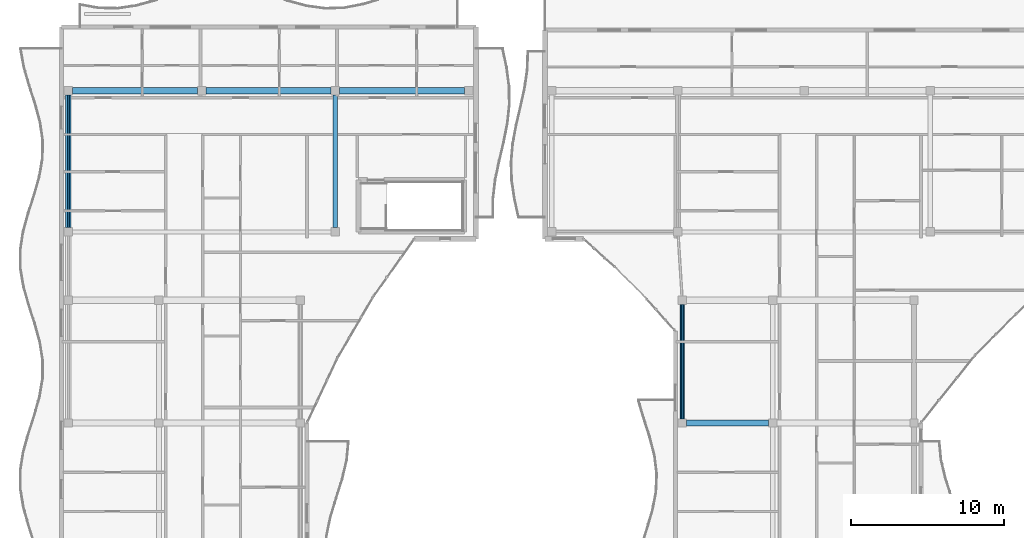
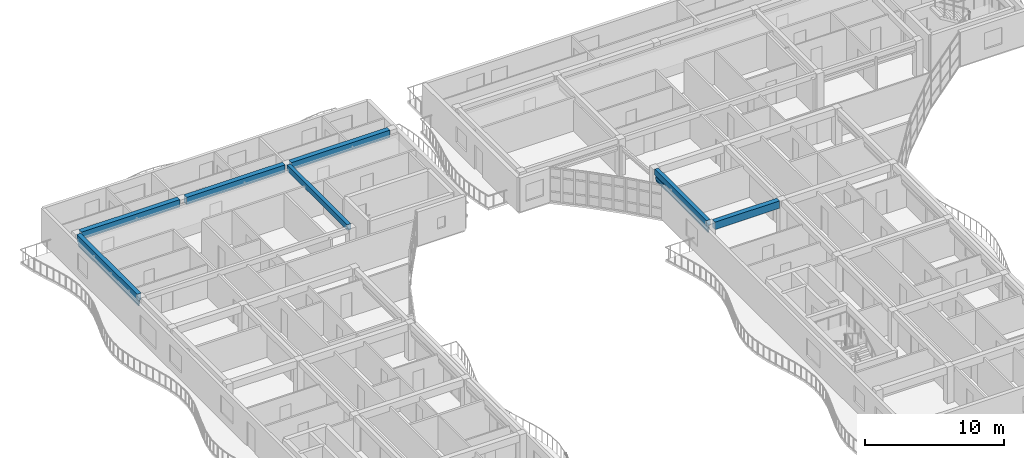
# One storey, part 3 of 68: 7 beams, 4 members.
"""IFC4 building model written with IfcOpenShell, lengths in metres."""

import ifcopenshell
import ifcopenshell.guid

model = None  # the IFC model being written
_history = None  # IfcOwnerHistory: only IFC2X3 demands one
_inside = {}  # id of a spatial element -> (the spatial element, [elements in it])
_under = {}  # id of a project, library or spatial element -> (it, [spatial elements below it])
_declared = {}  # id of a project -> (the project, [libraries it declares])
_typed = {}  # id of a type object -> (the type object, [elements of that type])
_made_of = {}  # id of a material, layer set ... -> (it, [elements and type objects made of it])


def new_model(schema):
    """Start an empty IFC model of exactly this schema.

    Asked for "IFC4X3", IfcOpenShell would pick the latest addendum, in which some entities
    have other attributes; the version numbers below select the first issue.
    IFC2X3 requires an IfcOwnerHistory on every rooted entity: one is made here for all.
    """
    global model, _history
    if schema == "IFC4X3":
        model = ifcopenshell.file(schema_version=(4, 3, 0, 0))
    else:
        model = ifcopenshell.file(schema=schema)
    _inside.clear()
    _under.clear()
    _declared.clear()
    _typed.clear()
    _made_of.clear()
    _history = None
    if model.schema == "IFC2X3":
        org = make("IfcOrganization", Name="unknown")
        user = make(
            "IfcPersonAndOrganization",
            ThePerson=make("IfcPerson", FamilyName="unknown"),
            TheOrganization=org,
        )
        app = make(
            "IfcApplication",
            ApplicationDeveloper=org,
            Version="unknown",
            ApplicationFullName="unknown",
            ApplicationIdentifier="unknown",
        )
        _history = make(
            "IfcOwnerHistory",
            OwningUser=user,
            OwningApplication=app,
            ChangeAction="ADDED",
            CreationDate=0,
        )
    return model


def make(cls, **values):
    """One entity of the class cls with the attributes given. An attribute that is None is left unset."""
    return model.create_entity(
        cls, **{name: value for name, value in values.items() if value is not None}
    )


def rooted(cls, **values):
    """An entity with a GlobalId (a new one), such as an element, a storey or a relation."""
    return make(cls, GlobalId=ifcopenshell.guid.new(), OwnerHistory=_history, **values)


def si_unit(unit_type, name, prefix=None):
    """IfcSIUnit, for example si_unit("LENGTHUNIT", "METRE", prefix="MILLI")."""
    return make("IfcSIUnit", UnitType=unit_type, Prefix=prefix, Name=name)


def assignment(units):
    """IfcUnitAssignment: the units of a project."""
    return None if units is None else make("IfcUnitAssignment", Units=units)


def point(xyz):
    """IfcCartesianPoint."""
    return None if xyz is None else make("IfcCartesianPoint", Coordinates=xyz)


def direction(xyz):
    """IfcDirection."""
    return None if xyz is None else make("IfcDirection", DirectionRatios=xyz)


def frame(location, z_axis=None, x_axis=None):
    """IfcAxis2Placement3D, a coordinate frame: its origin and axes. An axis left out is left unset."""
    return make(
        "IfcAxis2Placement3D",
        Location=point(location),
        Axis=direction(z_axis),
        RefDirection=direction(x_axis),
    )


def frame_2d(location, x_axis=None):
    """IfcAxis2Placement2D, a coordinate frame in the plane: its origin and x axis."""
    return make(
        "IfcAxis2Placement2D", Location=point(location), RefDirection=direction(x_axis)
    )


def origin():
    """The frame at (0, 0, 0) with its axes left unset."""
    return frame((0.0, 0.0, 0.0))


def origin_2d():
    """The frame at (0, 0) in the plane with its x axis left unset."""
    return frame_2d((0.0, 0.0))


def place(relative_to, where):
    """IfcLocalPlacement: puts the frame where relative to a parent placement (None: the world)."""
    return make(
        "IfcLocalPlacement", PlacementRelTo=relative_to, RelativePlacement=where
    )


def context(
    kind, dimensions, precision=None, world=None, true_north=None, identifier=None
):
    """IfcGeometricRepresentationContext, for example the 3D "Model" context."""
    return make(
        "IfcGeometricRepresentationContext",
        ContextIdentifier=identifier,
        ContextType=kind,
        CoordinateSpaceDimension=dimensions,
        Precision=precision,
        WorldCoordinateSystem=world,
        TrueNorth=true_north,
    )


def subcontext(parent, identifier, kind, view, scale=None):
    """IfcGeometricRepresentationSubContext, for example "Body" below "Model"."""
    return make(
        "IfcGeometricRepresentationSubContext",
        ContextIdentifier=identifier,
        ContextType=kind,
        ParentContext=parent,
        TargetScale=scale,
        TargetView=view,
    )


def project(units=None, contexts=None):
    """IfcProject with its units and contexts."""
    return rooted(
        "IfcProject",
        Name="project",
        RepresentationContexts=contexts,
        UnitsInContext=assignment(units),
    )


def spatial(cls, under=None, at=None, **own):
    """A site, building, storey or space (cls), placed at a placement, below another one or the project."""
    s = rooted(cls, ObjectPlacement=at, **own)
    if under is not None:
        _under.setdefault(under.id(), (under, []))[1].append(s)
    return s


def profile(cls, at=None, kind="AREA", **sizes):
    """A parametric profile (cls). Its sizes go by their IFC names, for example OverallWidth=200.0."""
    return make(cls, ProfileType=kind, Position=at, **sizes)


def rectangle(**sizes):
    """IfcRectangleProfileDef."""
    return profile("IfcRectangleProfileDef", **sizes)


def hollow_rectangle(**sizes):
    """IfcRectangleHollowProfileDef."""
    return profile("IfcRectangleHollowProfileDef", **sizes)


def extrude(swept, where, along, depth):
    """IfcExtrudedAreaSolid: the profile swept, set in the frame where, extruded along a direction by depth."""
    return make(
        "IfcExtrudedAreaSolid",
        SweptArea=swept,
        Position=where,
        ExtrudedDirection=direction(along),
        Depth=depth,
    )


def shape(context_of_items, identifier, shape_type, items):
    """IfcShapeRepresentation: the items that make up one representation, for example the "Body"."""
    return make(
        "IfcShapeRepresentation",
        ContextOfItems=context_of_items,
        RepresentationIdentifier=identifier,
        RepresentationType=shape_type,
        Items=items,
    )


def material(Name=None, Category=None):
    """IfcMaterial."""
    return make("IfcMaterial", Name=Name, Category=Category)


def material_profile(
    of_material, cross_section, Name=None, Category=None, Priority=None
):
    """IfcMaterialProfile: a cross section and its material."""
    return make(
        "IfcMaterialProfile",
        Name=Name,
        Material=of_material,
        Profile=cross_section,
        Priority=Priority,
        Category=Category,
    )


def profile_set(profiles, Name=None, composite=None):
    """IfcMaterialProfileSet."""
    return make(
        "IfcMaterialProfileSet",
        Name=Name,
        MaterialProfiles=profiles,
        CompositeProfile=composite,
    )


def made_of(thing, what):
    """Note that an element or type object is made of a material, layer set ...; save() writes the relation."""
    if what is not None:
        _made_of.setdefault(what.id(), (what, []))[1].append(thing)
    return thing


def type_object(cls, material=None, **own):
    """A type object (cls), such as IfcWallType, which elements share."""
    return made_of(rooted(cls, **own), material)


def element(
    cls,
    number,
    at=None,
    inside=None,
    cuts=None,
    type_object=None,
    material=None,
    context=None,
    identifier="Body",
    shape_type=None,
    held_by="IfcProductDefinitionShape",
    body=None,
    shapes=None,
    **own,
):
    """One element of the class cls, such as IfcWall. Its Tag is "e" and its number.

    at: its placement. inside: the storey or other place that contains it. cuts: it is an
    opening in that element (IfcRelVoidsElement). A single representation is given by context,
    identifier, shape_type and body (its items); several are given by shapes. held_by: the class
    of the entity that holds the representations. save() writes the other relations.
    """
    e = rooted(cls, Tag="e%d" % number, ObjectPlacement=at, **own)
    if body is not None:
        shapes = [shape(context, identifier, shape_type, body)]
    if shapes is not None:
        e.Representation = make(held_by, Representations=shapes)
    if inside is not None:
        _inside.setdefault(inside.id(), (inside, []))[1].append(e)
    if cuts is not None:
        rooted(
            "IfcRelVoidsElement", RelatingBuildingElement=cuts, RelatedOpeningElement=e
        )
    if type_object is not None:
        _typed.setdefault(type_object.id(), (type_object, []))[1].append(e)
    return made_of(e, material)


def aggregate(whole, parts):
    """IfcRelAggregates: a whole, such as a stair, and the parts it consists of."""
    return rooted("IfcRelAggregates", RelatingObject=whole, RelatedObjects=parts)


def save(model, path):
    """Write the relations noted so far, then the file.

    IfcRelAggregates (storeys below a building ...), IfcRelContainedInSpatialStructure (elements
    in a storey), IfcRelDefinesByType, IfcRelAssociatesMaterial and IfcRelDeclares: one each for
    every whole, place, type object, material and project.
    """
    for whole, parts in _under.values():
        aggregate(whole, parts)
    for where, things in _inside.values():
        rooted(
            "IfcRelContainedInSpatialStructure",
            RelatedElements=things,
            RelatingStructure=where,
        )
    for kind, things in _typed.values():
        rooted("IfcRelDefinesByType", RelatedObjects=things, RelatingType=kind)
    for what, things in _made_of.values():
        rooted("IfcRelAssociatesMaterial", RelatedObjects=things, RelatingMaterial=what)
    for by, libraries in _declared.values():
        rooted("IfcRelDeclares", RelatingContext=by, RelatedDefinitions=libraries)
    model.write(path)


model = new_model("IFC4")

# Units and contexts
model_context = context("Model", 3, precision=1e-05, world=origin(), true_north=direction((0.0, 1.0)))
body_context = subcontext(model_context, "Body", "Model", "MODEL_VIEW")
ifc_project = project(units=[si_unit("LENGTHUNIT", "METRE"), si_unit("AREAUNIT", "SQUARE_METRE"), si_unit("VOLUMEUNIT", "CUBIC_METRE"), si_unit("PLANEANGLEUNIT", "RADIAN"), si_unit("MASSUNIT", "GRAM", prefix="KILO")], contexts=[model_context])

# Site, building, storey
site_placement = place(None, origin())
site = spatial("IfcSite", under=ifc_project, at=site_placement, CompositionType="ELEMENT")
building_placement = place(site_placement, origin())
building = spatial("IfcBuilding", under=site, at=building_placement, Name="Keldmere Railside Commons", CompositionType="ELEMENT")
storey_placement = place(building_placement, frame((0.0, 0.0, 23.360107421875)))
storey = spatial("IfcBuildingStorey", under=building, at=storey_placement, Name="L07", CompositionType="ELEMENT", Elevation=23.360107421875)

# Members
ifc_material_1 = material(Name="Steel F-36 (S355)", Category="steel")
ifc_material_profile_1 = material_profile(ifc_material_1, hollow_rectangle(XDim=0.14990234375, YDim=0.25, WallThickness=0.010009765625, at=origin_2d()), Name="RHS-250x150x10")
ifc_profile_set_1 = profile_set([ifc_material_profile_1], Name="Steel F-36 (S355)")
member_type_1 = type_object("IfcMemberType", Name="Balcony Continuous Planted Trough RHS250x150", PredefinedType="CHORD", material=ifc_profile_set_1)
member_1_placement = place(storey_placement, frame((8.449951171875, 100.72509765625, 2.414794921875), z_axis=(0.0, 1.0, 0.0), x_axis=(-1.0, 0.0, 0.0)))
element("IfcMember", 1, at=member_1_placement, inside=storey, type_object=member_type_1, Name="PLT-1 MEM-BPLT-0785", PredefinedType="CHORD", context=body_context, shape_type="SweptSolid", body=[
    extrude(hollow_rectangle(XDim=0.14990234375, YDim=0.25, WallThickness=0.010009765625, at=origin_2d()), origin(), (0.0, 0.0, 1.0), 8.64990234375),
])
member_2_placement = place(storey_placement, frame((48.449951171875, 88.27490234375, 2.414794921875), z_axis=(0.0, 1.0, 0.0), x_axis=(-1.0, 0.0, 0.0)))
element("IfcMember", 2, at=member_2_placement, inside=storey, type_object=member_type_1, Name="PLT-1 MEM-BPLT-0797", PredefinedType="CHORD", context=body_context, shape_type="SweptSolid", body=[
    extrude(hollow_rectangle(XDim=0.14990234375, YDim=0.25, WallThickness=0.010009765625, at=origin_2d()), origin(), (0.0, 0.0, 1.0), 7.4501953125),
])

# Beams
ifc_material_2 = material(Name="Concrete H-30 (C30/37)", Category="concrete")
ifc_material_profile_2 = material_profile(ifc_material_2, rectangle(XDim=0.35009765625, YDim=0.60009765625, at=origin_2d()), Name="RC-350x600")
ifc_profile_set_2 = profile_set([ifc_material_profile_2], Name="Concrete H-30 (C30/37)")
beam_type_1 = type_object("IfcBeamType", Name="Residential Chord RC Beam 350x600", PredefinedType="BEAM", material=ifc_profile_set_2)
beam_1_placement = place(storey_placement, frame((8.449951171875, 100.72509765625, 2.89990234375), z_axis=(0.0, 1.0, 0.0), x_axis=(-1.0, 0.0, 0.0)))
element("IfcBeam", 3, at=beam_1_placement, inside=storey, type_object=beam_type_1, Name="BG-4 BM-L07-2096", PredefinedType="BEAM", context=body_context, shape_type="SweptSolid", body=[
    extrude(rectangle(XDim=0.35009765625, YDim=0.60009765625, at=origin_2d()), origin(), (0.0, 0.0, 1.0), 8.64990234375),
])
ifc_material_profile_3 = material_profile(ifc_material_2, rectangle(XDim=0.39990234375, YDim=0.64990234375, at=origin_2d()), Name="RC-400x650")
ifc_profile_set_3 = profile_set([ifc_material_profile_3], Name="Concrete H-30 (C30/37)")
beam_type_2 = type_object("IfcBeamType", Name="Residential Spine RC Girder 400x650", PredefinedType="BEAM", material=ifc_profile_set_3)
beam_2_placement = place(storey_placement, frame((48.72509765625, 88.0, 2.875), z_axis=(1.0, 0.0, 0.0), x_axis=(0.0, 1.0, 0.0)))
element("IfcBeam", 4, at=beam_2_placement, inside=storey, type_object=beam_type_2, Name="BG-3 BM-L07-2040", PredefinedType="BEAM", context=body_context, shape_type="SweptSolid", body=[
    extrude(rectangle(XDim=0.39990234375, YDim=0.64990234375, at=origin_2d()), origin(), (0.0, 0.0, 1.0), 5.349853515625),
])
for number, where, z_axis, x_axis, name in (
    (5, (8.72509765625, 109.64990234375, 2.875), (1.0, 0.0, 0.0), (0.0, 1.0, 0.0), "BG-3 BM-L07-2064"),
    (6, (17.425048828125, 109.64990234375, 2.875), (1.0, 0.0, 0.0), (0.0, 1.0, 0.0), "BG-3 BM-L07-2065"),
    (7, (26.125, 109.64990234375, 2.875), (1.0, 0.0, 0.0), (0.0, 1.0, 0.0), "BG-3 BM-L07-2066"),
):
    element("IfcBeam", number, at=place(storey_placement, frame(where, z_axis=z_axis, x_axis=x_axis)), inside=storey, type_object=beam_type_2, Name=name, PredefinedType="BEAM", context=body_context, shape_type="SweptSolid", body=[
        extrude(rectangle(XDim=0.39990234375, YDim=0.64990234375, at=origin_2d()), origin(), (0.0, 0.0, 1.0), 8.14990234375),
    ])
ifc_material_profile_4 = material_profile(ifc_material_2, rectangle(XDim=0.300048828125, YDim=0.5, at=origin_2d()), Name="RC-300x500")
ifc_profile_set_4 = profile_set([ifc_material_profile_4], Name="Concrete H-30 (C30/37)")
beam_type_3 = type_object("IfcBeamType", Name="Secondary Frame RC Beam 300x500", PredefinedType="BEAM", material=ifc_profile_set_4)
beam_3_placement = place(storey_placement, frame((25.85009765625, 100.72509765625, 2.949951171875), z_axis=(0.0, 1.0, 0.0), x_axis=(-1.0, 0.0, 0.0)))
element("IfcBeam", 8, at=beam_3_placement, inside=storey, type_object=beam_type_3, Name="BG-5 BM-L07-2103", PredefinedType="BEAM", context=body_context, shape_type="SweptSolid", body=[
    extrude(rectangle(XDim=0.300048828125, YDim=0.5, at=origin_2d()), origin(), (0.0, 0.0, 1.0), 8.64990234375),
])
beam_4_placement = place(storey_placement, frame((48.449951171875, 88.27490234375, 2.949951171875), z_axis=(0.0, 1.0, 0.0), x_axis=(-1.0, 0.0, 0.0)))
element("IfcBeam", 9, at=beam_4_placement, inside=storey, type_object=beam_type_3, Name="BG-5 BM-L07-2106", PredefinedType="BEAM", context=body_context, shape_type="SweptSolid", body=[
    extrude(rectangle(XDim=0.300048828125, YDim=0.5, at=origin_2d()), origin(), (0.0, 0.0, 1.0), 7.4501953125),
])

# Members
ifc_material_profile_5 = material_profile(ifc_material_1, hollow_rectangle(XDim=0.10009765625, YDim=0.159912109375, WallThickness=0.008056640625, at=origin_2d()), Name="RHS-160x100x8")
ifc_profile_set_5 = profile_set([ifc_material_profile_5], Name="Steel F-36 (S355)")
member_type_2 = type_object("IfcMemberType", Name="Solar Brise-Soleil Louvre Fin RHS160x100", PredefinedType="STRUT", material=ifc_profile_set_5)
member_3_placement = place(storey_placement, frame((8.449951171875, 100.72509765625, 2.199951171875), z_axis=(0.0, 1.0, 0.0), x_axis=(-1.0, 0.0, 0.0)))
element("IfcMember", 10, at=member_3_placement, inside=storey, type_object=member_type_2, Name="BSF-1 MEM-BSF-0786", PredefinedType="STRUT", context=body_context, shape_type="SweptSolid", body=[
    extrude(hollow_rectangle(XDim=0.10009765625, YDim=0.159912109375, WallThickness=0.008056640625, at=origin_2d()), origin(), (0.0, 0.0, 1.0), 8.64990234375),
])
member_4_placement = place(storey_placement, frame((48.449951171875, 88.27490234375, 2.199951171875), z_axis=(0.0, 1.0, 0.0), x_axis=(-1.0, 0.0, 0.0)))
element("IfcMember", 11, at=member_4_placement, inside=storey, type_object=member_type_2, Name="BSF-1 MEM-BSF-0798", PredefinedType="STRUT", context=body_context, shape_type="SweptSolid", body=[
    extrude(hollow_rectangle(XDim=0.10009765625, YDim=0.159912109375, WallThickness=0.008056640625, at=origin_2d()), origin(), (0.0, 0.0, 1.0), 7.4501953125),
])

save(model, "model.ifc")
